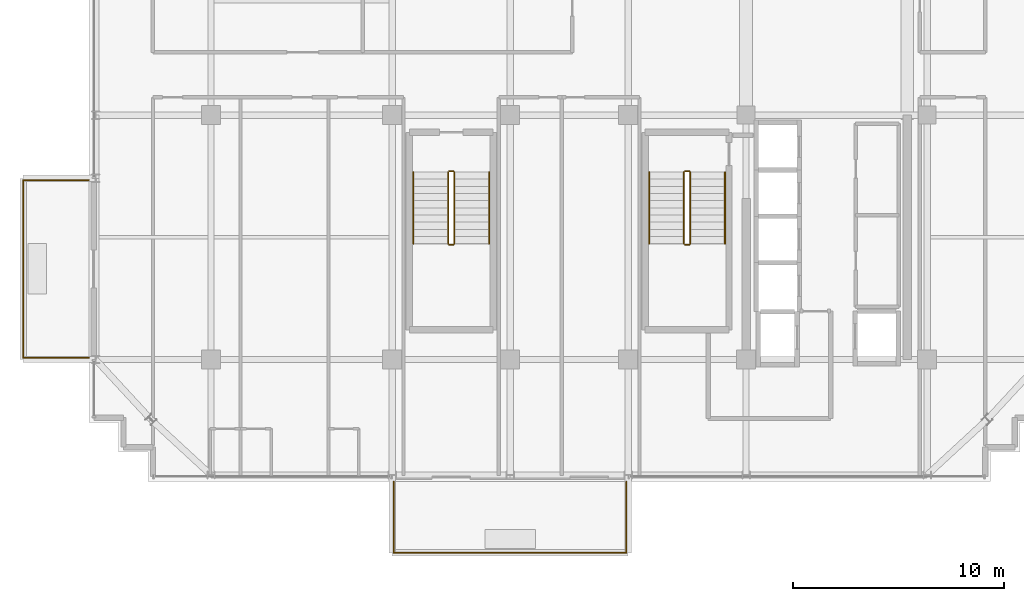
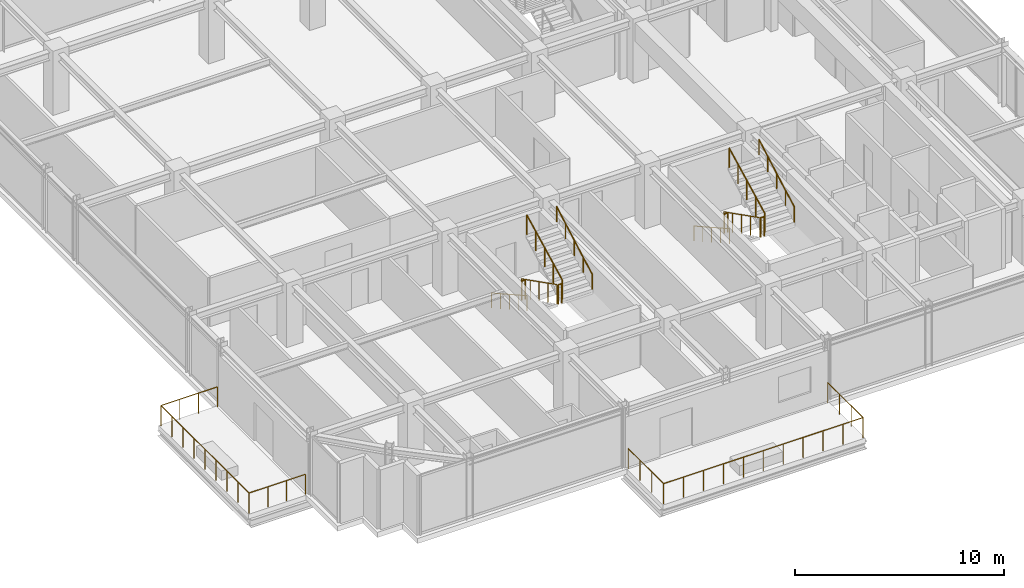
# One storey, part 29 of 31: 14 railings.
"""IFC4 building model written with IfcOpenShell, lengths in metres."""

from ifc_helpers import new_model, si_unit, direction, frame, origin, origin_2d, place, context, subcontext, project, spatial, circle, extrude, material, type_object, element, save


model = new_model("IFC4")

# Units and contexts
model_context = context("Model", 3, precision=1e-05, world=origin(), true_north=direction((0.0, 1.0)))
body_context = subcontext(model_context, "Body", "Model", "MODEL_VIEW")
ifc_project = project(units=[si_unit("LENGTHUNIT", "METRE"), si_unit("AREAUNIT", "SQUARE_METRE"), si_unit("VOLUMEUNIT", "CUBIC_METRE"), si_unit("PLANEANGLEUNIT", "RADIAN"), si_unit("MASSUNIT", "GRAM", prefix="KILO")], contexts=[model_context])

# Site, building, storey
site_placement = place(None, origin())
site = spatial("IfcSite", under=ifc_project, at=site_placement, CompositionType="ELEMENT")
building_placement = place(site_placement, origin())
building = spatial("IfcBuilding", under=site, at=building_placement, Name="Nahalor Promenade Grand Hotel", CompositionType="ELEMENT")
storey_placement = place(building_placement, frame((0.0, 0.0, 323.35009765625)))
storey = spatial("IfcBuildingStorey", under=building, at=storey_placement, Name="L83", CompositionType="ELEMENT", Elevation=323.35009765625)

# Railings
ifc_material_1 = material(Name="Anodised Bronze Aluminium EN AW-6063 T6", Category="aluminium")
railing_type_1 = type_object("IfcRailingType", Name="Bronze Balcony Guardrail 1200 mm", PredefinedType="GUARDRAIL", material=ifc_material_1)
railing_1_placement = place(storey_placement, frame((-8.320068359375, -22.800048828125, 0.0)))
element("IfcRailing", 1, at=railing_1_placement, inside=storey, type_object=railing_type_1, Name="L83 Balcony Guardrail 1", PredefinedType="GUARDRAIL", context=body_context, shape_type="SweptSolid", body=[
    extrude(circle(Radius=0.024048, at=origin_2d()), frame((0.0, 0.0, 1.17578125), z_axis=(0.0, -1.0, 0.0), x_axis=(1.0, 0.0, 0.0)), (0.0, 0.0, 1.0), 3.3779296875),
    extrude(circle(Radius=0.024048, at=origin_2d()), frame((0.001953125, -3.3798828125, 1.17578125), z_axis=(1.0, 0.0, 0.0), x_axis=(0.0, 1.0, 0.0)), (0.0, 0.0, 1.0), 11.0361328125),
    extrude(circle(Radius=0.024048, at=origin_2d()), frame((11.0400390625, -3.3779296875, 1.17578125), z_axis=(0.0, 1.0, 0.0), x_axis=(-1.0, 0.0, 0.0)), (0.0, 0.0, 1.0), 3.3779296875),
    extrude(circle(Radius=0.020996, at=origin_2d()), origin(), (0.0, 0.0, 1.0), 1.14990234375),
    extrude(circle(Radius=0.020996, at=origin_2d()), frame((0.0, -1.126708984375, 0.0)), (0.0, 0.0, 1.0), 1.14990234375),
    extrude(circle(Radius=0.020996, at=origin_2d()), frame((0.0, -2.253173828125, 0.0)), (0.0, 0.0, 1.0), 1.14990234375),
    extrude(circle(Radius=0.020996, at=origin_2d()), frame((0.0, -3.3798828125, 0.0)), (0.0, 0.0, 1.0), 1.14990234375),
    extrude(circle(Radius=0.020996, at=origin_2d()), frame((1.10400390625, -3.3798828125, 0.0)), (0.0, 0.0, 1.0), 1.14990234375),
    extrude(circle(Radius=0.020996, at=origin_2d()), frame((2.2080078125, -3.3798828125, 0.0)), (0.0, 0.0, 1.0), 1.14990234375),
    extrude(circle(Radius=0.020996, at=origin_2d()), frame((3.31201171875, -3.3798828125, 0.0)), (0.0, 0.0, 1.0), 1.14990234375),
    extrude(circle(Radius=0.020996, at=origin_2d()), frame((4.416015625, -3.3798828125, 0.0)), (0.0, 0.0, 1.0), 1.14990234375),
    extrude(circle(Radius=0.020996, at=origin_2d()), frame((5.52001953125, -3.3798828125, 0.0)), (0.0, 0.0, 1.0), 1.14990234375),
    extrude(circle(Radius=0.020996, at=origin_2d()), frame((6.6240234375, -3.3798828125, 0.0)), (0.0, 0.0, 1.0), 1.14990234375),
    extrude(circle(Radius=0.020996, at=origin_2d()), frame((7.72802734375, -3.3798828125, 0.0)), (0.0, 0.0, 1.0), 1.14990234375),
    extrude(circle(Radius=0.020996, at=origin_2d()), frame((8.83203125, -3.3798828125, 0.0)), (0.0, 0.0, 1.0), 1.14990234375),
    extrude(circle(Radius=0.020996, at=origin_2d()), frame((9.93603515625, -3.3798828125, 0.0)), (0.0, 0.0, 1.0), 1.14990234375),
    extrude(circle(Radius=0.020996, at=origin_2d()), frame((11.0400390625, -3.3798828125, 0.0)), (0.0, 0.0, 1.0), 1.14990234375),
    extrude(circle(Radius=0.020996, at=origin_2d()), frame((11.0400390625, -2.253173828125, 0.0)), (0.0, 0.0, 1.0), 1.14990234375),
    extrude(circle(Radius=0.020996, at=origin_2d()), frame((11.0400390625, -1.126708984375, 0.0)), (0.0, 0.0, 1.0), 1.14990234375),
    extrude(circle(Radius=0.020996, at=origin_2d()), frame((11.0400390625, 0.0, 0.0)), (0.0, 0.0, 1.0), 1.14990234375),
])
railing_2_placement = place(storey_placement, frame((-22.800048828125, -16.919921875, 0.0)))
element("IfcRailing", 2, at=railing_2_placement, inside=storey, type_object=railing_type_1, Name="L83 Balcony Guardrail 2", PredefinedType="GUARDRAIL", context=body_context, shape_type="SweptSolid", body=[
    extrude(circle(Radius=0.024048, at=origin_2d()), frame((0.0, 0.0, 1.17578125), z_axis=(-1.0, 0.0, 0.0), x_axis=(0.0, -1.0, 0.0)), (0.0, 0.0, 1.0), 3.117919921875),
    extrude(circle(Radius=0.024048, at=origin_2d()), frame((-3.119873046875, 0.001953125, 1.17578125), z_axis=(0.0, 1.0, 0.0), x_axis=(-1.0, 0.0, 0.0)), (0.0, 0.0, 1.0), 8.43603515625),
    extrude(circle(Radius=0.024048, at=origin_2d()), frame((-3.117919921875, 8.43994140625, 1.17578125), z_axis=(1.0, 0.0, 0.0), x_axis=(0.0, 1.0, 0.0)), (0.0, 0.0, 1.0), 3.117919921875),
    extrude(circle(Radius=0.020996, at=origin_2d()), origin(), (0.0, 0.0, 1.0), 1.14990234375),
    extrude(circle(Radius=0.020996, at=origin_2d()), frame((-1.0400390625, 0.0, 0.0)), (0.0, 0.0, 1.0), 1.14990234375),
    extrude(circle(Radius=0.020996, at=origin_2d()), frame((-2.079833984375, 0.0, 0.0)), (0.0, 0.0, 1.0), 1.14990234375),
    extrude(circle(Radius=0.020996, at=origin_2d()), frame((-3.119873046875, 0.0, 0.0)), (0.0, 0.0, 1.0), 1.14990234375),
    extrude(circle(Radius=0.020996, at=origin_2d()), frame((-3.119873046875, 1.054931640625, 0.0)), (0.0, 0.0, 1.0), 1.14990234375),
    extrude(circle(Radius=0.020996, at=origin_2d()), frame((-3.119873046875, 2.10986328125, 0.0)), (0.0, 0.0, 1.0), 1.14990234375),
    extrude(circle(Radius=0.020996, at=origin_2d()), frame((-3.119873046875, 3.1650390625, 0.0)), (0.0, 0.0, 1.0), 1.14990234375),
    extrude(circle(Radius=0.020996, at=origin_2d()), frame((-3.119873046875, 4.219970703125, 0.0)), (0.0, 0.0, 1.0), 1.14990234375),
    extrude(circle(Radius=0.020996, at=origin_2d()), frame((-3.119873046875, 5.27490234375, 0.0)), (0.0, 0.0, 1.0), 1.14990234375),
    extrude(circle(Radius=0.020996, at=origin_2d()), frame((-3.119873046875, 6.330078125, 0.0)), (0.0, 0.0, 1.0), 1.14990234375),
    extrude(circle(Radius=0.020996, at=origin_2d()), frame((-3.119873046875, 7.385009765625, 0.0)), (0.0, 0.0, 1.0), 1.14990234375),
    extrude(circle(Radius=0.020996, at=origin_2d()), frame((-3.119873046875, 8.43994140625, 0.0)), (0.0, 0.0, 1.0), 1.14990234375),
    extrude(circle(Radius=0.020996, at=origin_2d()), frame((-2.079833984375, 8.43994140625, 0.0)), (0.0, 0.0, 1.0), 1.14990234375),
    extrude(circle(Radius=0.020996, at=origin_2d()), frame((-1.0400390625, 8.43994140625, 0.0)), (0.0, 0.0, 1.0), 1.14990234375),
    extrude(circle(Radius=0.020996, at=origin_2d()), frame((0.0, 8.43994140625, 0.0)), (0.0, 0.0, 1.0), 1.14990234375),
])
ifc_material_2 = material(Name="Steel S355JR", Category="steel")
railing_type_2 = type_object("IfcRailingType", Name="Steel Stair Guardrail 1150 mm", PredefinedType="GUARDRAIL", material=ifc_material_2)
railing_3_placement = place(storey_placement, frame((5.449951171875, -8.10009765625, 0.172607421875)))
element("IfcRailing", 3, at=railing_3_placement, inside=storey, type_object=railing_type_2, Name="L83 ST2 stair guard 1", PredefinedType="GUARDRAIL", context=body_context, shape_type="SweptSolid", body=[
    extrude(circle(Radius=0.024048, at=origin_2d()), frame((0.0, 0.0, 1.1259765625), z_axis=(0.0, -0.89154070688, 0.452940578858), x_axis=(1.0, 0.0, 0.0)), (0.0, 0.0, 1.0), 3.8134765625),
    extrude(circle(Radius=0.020996, at=origin_2d()), origin(), (0.0, 0.0, 1.0), 1.099853515625),
    extrude(circle(Radius=0.020996, at=origin_2d()), frame((0.0, -0.85009765625, 0.431884765625)), (0.0, 0.0, 1.0), 1.099853515625),
    extrude(circle(Radius=0.020996, at=origin_2d()), frame((0.0, -1.699951171875, 0.86376953125)), (0.0, 0.0, 1.0), 1.099853515625),
    extrude(circle(Radius=0.020996, at=origin_2d()), frame((0.0, -2.5498046875, 1.29541015625)), (0.0, 0.0, 1.0), 1.099853515625),
    extrude(circle(Radius=0.020996, at=origin_2d()), frame((0.0, -3.39990234375, 1.727294921875)), (0.0, 0.0, 1.0), 1.099853515625),
])
railing_4_placement = place(storey_placement, frame((5.5, -11.550048828125, 1.89990234375)))
element("IfcRailing", 4, at=railing_4_placement, inside=storey, type_object=railing_type_2, Name="L83 ST2 stair guard 2", PredefinedType="GUARDRAIL", context=body_context, shape_type="SweptSolid", body=[
    extrude(circle(Radius=0.024048, at=origin_2d()), frame((0.0, 0.0, 1.1259765625), z_axis=(1.0, 0.0, 0.0), x_axis=(0.0, 1.0, 0.0)), (0.0, 0.0, 1.0), 0.199951171875),
    extrude(circle(Radius=0.020996, at=origin_2d()), origin(), (0.0, 0.0, 1.0), 1.099853515625),
    extrude(circle(Radius=0.020996, at=origin_2d()), frame((0.199951171875, 0.0, 0.0)), (0.0, 0.0, 1.0), 1.099853515625),
])
railing_5_placement = place(storey_placement, frame((5.75, -11.5, 2.072509765625)))
element("IfcRailing", 5, at=railing_5_placement, inside=storey, type_object=railing_type_2, Name="L83 ST2 stair guard 3", PredefinedType="GUARDRAIL", context=body_context, shape_type="SweptSolid", body=[
    extrude(circle(Radius=0.024048, at=origin_2d()), frame((0.0, 0.0, 1.1259765625), z_axis=(0.0, 0.89154070688, 0.452940578858), x_axis=(-1.0, 0.0, 0.0)), (0.0, 0.0, 1.0), 3.8134765625),
    extrude(circle(Radius=0.020996, at=origin_2d()), origin(), (0.0, 0.0, 1.0), 1.099853515625),
    extrude(circle(Radius=0.020996, at=origin_2d()), frame((0.0, 0.85009765625, 0.431884765625)), (0.0, 0.0, 1.0), 1.099853515625),
    extrude(circle(Radius=0.020996, at=origin_2d()), frame((0.0, 1.699951171875, 0.86376953125)), (0.0, 0.0, 1.0), 1.099853515625),
    extrude(circle(Radius=0.020996, at=origin_2d()), frame((0.0, 2.5498046875, 1.29541015625)), (0.0, 0.0, 1.0), 1.099853515625),
    extrude(circle(Radius=0.020996, at=origin_2d()), frame((0.0, 3.39990234375, 1.727294921875)), (0.0, 0.0, 1.0), 1.099853515625),
])
railing_6_placement = place(storey_placement, frame((5.5, -8.050048828125, 0.0)))
element("IfcRailing", 6, at=railing_6_placement, inside=storey, type_object=railing_type_2, Name="L83 ST2 stair guard 4", PredefinedType="GUARDRAIL", context=body_context, shape_type="SweptSolid", body=[
    extrude(circle(Radius=0.024048, at=origin_2d()), frame((0.0, 0.0, 1.1259765625), z_axis=(1.0, 0.0, 0.0), x_axis=(0.0, 1.0, 0.0)), (0.0, 0.0, 1.0), 0.199951171875),
    extrude(circle(Radius=0.020996, at=origin_2d()), origin(), (0.0, 0.0, 1.0), 1.099853515625),
    extrude(circle(Radius=0.020996, at=origin_2d()), frame((0.199951171875, 0.0, 0.0)), (0.0, 0.0, 1.0), 1.099853515625),
])
railing_7_placement = place(storey_placement, frame((-5.75, -8.10009765625, 0.172607421875)))
element("IfcRailing", 7, at=railing_7_placement, inside=storey, type_object=railing_type_2, Name="L83 ST3 stair guard 1", PredefinedType="GUARDRAIL", context=body_context, shape_type="SweptSolid", body=[
    extrude(circle(Radius=0.024048, at=origin_2d()), frame((0.0, 0.0, 1.1259765625), z_axis=(0.0, -0.89154070688, 0.452940578858), x_axis=(1.0, 0.0, 0.0)), (0.0, 0.0, 1.0), 3.8134765625),
    extrude(circle(Radius=0.020996, at=origin_2d()), origin(), (0.0, 0.0, 1.0), 1.099853515625),
    extrude(circle(Radius=0.020996, at=origin_2d()), frame((0.0, -0.85009765625, 0.431884765625)), (0.0, 0.0, 1.0), 1.099853515625),
    extrude(circle(Radius=0.020996, at=origin_2d()), frame((0.0, -1.699951171875, 0.86376953125)), (0.0, 0.0, 1.0), 1.099853515625),
    extrude(circle(Radius=0.020996, at=origin_2d()), frame((0.0, -2.5498046875, 1.29541015625)), (0.0, 0.0, 1.0), 1.099853515625),
    extrude(circle(Radius=0.020996, at=origin_2d()), frame((0.0, -3.39990234375, 1.727294921875)), (0.0, 0.0, 1.0), 1.099853515625),
])
railing_8_placement = place(storey_placement, frame((-5.699951171875, -11.550048828125, 1.89990234375)))
element("IfcRailing", 8, at=railing_8_placement, inside=storey, type_object=railing_type_2, Name="L83 ST3 stair guard 2", PredefinedType="GUARDRAIL", context=body_context, shape_type="SweptSolid", body=[
    extrude(circle(Radius=0.024048, at=origin_2d()), frame((0.0, 0.0, 1.1259765625), z_axis=(1.0, 0.0, 0.0), x_axis=(0.0, 1.0, 0.0)), (0.0, 0.0, 1.0), 0.199951171875),
    extrude(circle(Radius=0.020996, at=origin_2d()), origin(), (0.0, 0.0, 1.0), 1.099853515625),
    extrude(circle(Radius=0.020996, at=origin_2d()), frame((0.199951171875, 0.0, 0.0)), (0.0, 0.0, 1.0), 1.099853515625),
])
railing_9_placement = place(storey_placement, frame((-5.449951171875, -11.5, 2.072509765625)))
element("IfcRailing", 9, at=railing_9_placement, inside=storey, type_object=railing_type_2, Name="L83 ST3 stair guard 3", PredefinedType="GUARDRAIL", context=body_context, shape_type="SweptSolid", body=[
    extrude(circle(Radius=0.024048, at=origin_2d()), frame((0.0, 0.0, 1.1259765625), z_axis=(0.0, 0.89154070688, 0.452940578858), x_axis=(-1.0, 0.0, 0.0)), (0.0, 0.0, 1.0), 3.8134765625),
    extrude(circle(Radius=0.020996, at=origin_2d()), origin(), (0.0, 0.0, 1.0), 1.099853515625),
    extrude(circle(Radius=0.020996, at=origin_2d()), frame((0.0, 0.85009765625, 0.431884765625)), (0.0, 0.0, 1.0), 1.099853515625),
    extrude(circle(Radius=0.020996, at=origin_2d()), frame((0.0, 1.699951171875, 0.86376953125)), (0.0, 0.0, 1.0), 1.099853515625),
    extrude(circle(Radius=0.020996, at=origin_2d()), frame((0.0, 2.5498046875, 1.29541015625)), (0.0, 0.0, 1.0), 1.099853515625),
    extrude(circle(Radius=0.020996, at=origin_2d()), frame((0.0, 3.39990234375, 1.727294921875)), (0.0, 0.0, 1.0), 1.099853515625),
])
railing_10_placement = place(storey_placement, frame((-5.699951171875, -8.050048828125, 0.0)))
element("IfcRailing", 10, at=railing_10_placement, inside=storey, type_object=railing_type_2, Name="L83 ST3 stair guard 4", PredefinedType="GUARDRAIL", context=body_context, shape_type="SweptSolid", body=[
    extrude(circle(Radius=0.024048, at=origin_2d()), frame((0.0, 0.0, 1.1259765625), z_axis=(1.0, 0.0, 0.0), x_axis=(0.0, 1.0, 0.0)), (0.0, 0.0, 1.0), 0.199951171875),
    extrude(circle(Radius=0.020996, at=origin_2d()), origin(), (0.0, 0.0, 1.0), 1.099853515625),
    extrude(circle(Radius=0.020996, at=origin_2d()), frame((0.199951171875, 0.0, 0.0)), (0.0, 0.0, 1.0), 1.099853515625),
])
railing_type_3 = type_object("IfcRailingType", Name="Steel Stair Handrail 900 mm", PredefinedType="HANDRAIL", material=ifc_material_2)
railing_11_placement = place(storey_placement, frame((3.800048828125, -8.10009765625, 0.172607421875)))
element("IfcRailing", 11, at=railing_11_placement, inside=storey, type_object=railing_type_3, Name="L83 ST2 stair handrail 1", PredefinedType="HANDRAIL", context=body_context, shape_type="SweptSolid", body=[
    extrude(circle(Radius=0.024048, at=origin_2d()), frame((0.0, 0.0, 0.8759765625), z_axis=(0.0, -0.872948192752, 0.487812928048), x_axis=(1.0, 0.0, 0.0)), (0.0, 0.0, 1.0), 3.894775390625),
    extrude(circle(Radius=0.020996, at=origin_2d()), origin(), (0.0, 0.0, 1.0), 0.849853515625),
    extrude(circle(Radius=0.020996, at=origin_2d()), frame((0.0, -0.85009765625, 0.47509765625)), (0.0, 0.0, 1.0), 0.849853515625),
    extrude(circle(Radius=0.020996, at=origin_2d()), frame((0.0, -1.699951171875, 0.949951171875)), (0.0, 0.0, 1.0), 0.849853515625),
    extrude(circle(Radius=0.020996, at=origin_2d()), frame((0.0, -2.5498046875, 1.4248046875)), (0.0, 0.0, 1.0), 0.849853515625),
    extrude(circle(Radius=0.020996, at=origin_2d()), frame((0.0, -3.39990234375, 1.89990234375)), (0.0, 0.0, 1.0), 0.849853515625),
])
railing_12_placement = place(storey_placement, frame((7.39990234375, -11.5, 2.072509765625)))
element("IfcRailing", 12, at=railing_12_placement, inside=storey, type_object=railing_type_3, Name="L83 ST2 stair handrail 2", PredefinedType="HANDRAIL", context=body_context, shape_type="SweptSolid", body=[
    extrude(circle(Radius=0.024048, at=origin_2d()), frame((0.0, 0.0, 0.8759765625), z_axis=(0.0, 0.872921498864, 0.487860694073), x_axis=(-1.0, 0.0, 0.0)), (0.0, 0.0, 1.0), 3.894775390625),
    extrude(circle(Radius=0.020996, at=origin_2d()), origin(), (0.0, 0.0, 1.0), 0.849853515625),
    extrude(circle(Radius=0.020996, at=origin_2d()), frame((0.0, 0.85009765625, 0.47509765625)), (0.0, 0.0, 1.0), 0.849853515625),
    extrude(circle(Radius=0.020996, at=origin_2d()), frame((0.0, 1.699951171875, 0.9501953125)), (0.0, 0.0, 1.0), 0.849853515625),
    extrude(circle(Radius=0.020996, at=origin_2d()), frame((0.0, 2.5498046875, 1.425048828125)), (0.0, 0.0, 1.0), 0.849853515625),
    extrude(circle(Radius=0.020996, at=origin_2d()), frame((0.0, 3.39990234375, 1.900146484375)), (0.0, 0.0, 1.0), 0.849853515625),
])
railing_13_placement = place(storey_placement, frame((-7.39990234375, -8.10009765625, 0.172607421875)))
element("IfcRailing", 13, at=railing_13_placement, inside=storey, type_object=railing_type_3, Name="L83 ST3 stair handrail 1", PredefinedType="HANDRAIL", context=body_context, shape_type="SweptSolid", body=[
    extrude(circle(Radius=0.024048, at=origin_2d()), frame((0.0, 0.0, 0.8759765625), z_axis=(0.0, -0.872948192752, 0.487812928048), x_axis=(1.0, 0.0, 0.0)), (0.0, 0.0, 1.0), 3.894775390625),
    extrude(circle(Radius=0.020996, at=origin_2d()), origin(), (0.0, 0.0, 1.0), 0.849853515625),
    extrude(circle(Radius=0.020996, at=origin_2d()), frame((0.0, -0.85009765625, 0.47509765625)), (0.0, 0.0, 1.0), 0.849853515625),
    extrude(circle(Radius=0.020996, at=origin_2d()), frame((0.0, -1.699951171875, 0.949951171875)), (0.0, 0.0, 1.0), 0.849853515625),
    extrude(circle(Radius=0.020996, at=origin_2d()), frame((0.0, -2.5498046875, 1.4248046875)), (0.0, 0.0, 1.0), 0.849853515625),
    extrude(circle(Radius=0.020996, at=origin_2d()), frame((0.0, -3.39990234375, 1.89990234375)), (0.0, 0.0, 1.0), 0.849853515625),
])
railing_14_placement = place(storey_placement, frame((-3.800048828125, -11.5, 2.072509765625)))
element("IfcRailing", 14, at=railing_14_placement, inside=storey, type_object=railing_type_3, Name="L83 ST3 stair handrail 2", PredefinedType="HANDRAIL", context=body_context, shape_type="SweptSolid", body=[
    extrude(circle(Radius=0.024048, at=origin_2d()), frame((0.0, 0.0, 0.8759765625), z_axis=(0.0, 0.872921498864, 0.487860694073), x_axis=(-1.0, 0.0, 0.0)), (0.0, 0.0, 1.0), 3.894775390625),
    extrude(circle(Radius=0.020996, at=origin_2d()), origin(), (0.0, 0.0, 1.0), 0.849853515625),
    extrude(circle(Radius=0.020996, at=origin_2d()), frame((0.0, 0.85009765625, 0.47509765625)), (0.0, 0.0, 1.0), 0.849853515625),
    extrude(circle(Radius=0.020996, at=origin_2d()), frame((0.0, 1.699951171875, 0.9501953125)), (0.0, 0.0, 1.0), 0.849853515625),
    extrude(circle(Radius=0.020996, at=origin_2d()), frame((0.0, 2.5498046875, 1.425048828125)), (0.0, 0.0, 1.0), 0.849853515625),
    extrude(circle(Radius=0.020996, at=origin_2d()), frame((0.0, 3.39990234375, 1.900146484375)), (0.0, 0.0, 1.0), 0.849853515625),
])

save(model, "model.ifc")
